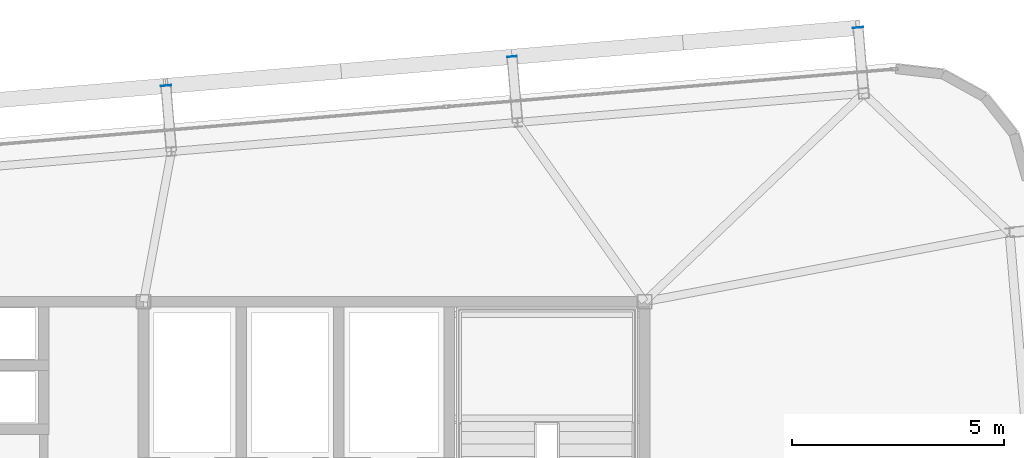
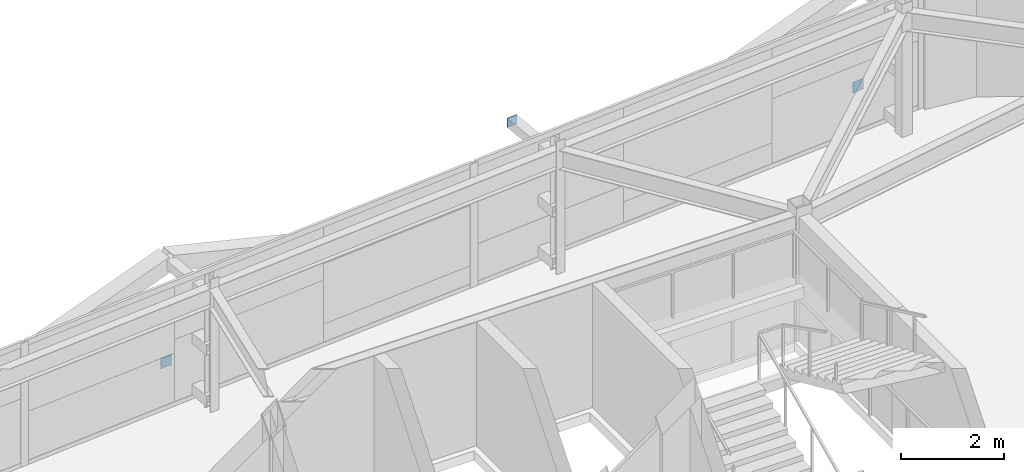
# One storey, part 33 of 39: 3 plates.
"""IFC4 building model written with IfcOpenShell, lengths in metres."""

from ifc_helpers import new_model, si_unit, direction, frame, origin, origin_2d, place, context, subcontext, project, spatial, rectangle, extrude, source, transform, mapped, material, layer, layer_set, type_object, element, save


model = new_model("IFC4")

# Units and contexts
model_context = context("Model", 3, precision=1e-05, world=origin(), true_north=direction((0.0, 1.0)))
body_context = subcontext(model_context, "Body", "Model", "MODEL_VIEW")
ifc_project = project(units=[si_unit("LENGTHUNIT", "METRE"), si_unit("AREAUNIT", "SQUARE_METRE"), si_unit("VOLUMEUNIT", "CUBIC_METRE"), si_unit("PLANEANGLEUNIT", "RADIAN"), si_unit("MASSUNIT", "GRAM", prefix="KILO")], contexts=[model_context])

# Site, building, storey
site_placement = place(None, origin())
site = spatial("IfcSite", under=ifc_project, at=site_placement, CompositionType="ELEMENT")
building_placement = place(site_placement, origin())
building = spatial("IfcBuilding", under=site, at=building_placement, Name="Taldren Reach Tower", CompositionType="ELEMENT")
storey_placement = place(building_placement, frame((0.0, 0.0, 197.75)))
storey = spatial("IfcBuildingStorey", under=building, at=storey_placement, Name="L60", CompositionType="ELEMENT", Elevation=197.75)

# Plates
ifc_material_1 = material(Name="Steel Gr 350 (C350L0)", Category="steel")
ifc_layer_1 = layer(ifc_material_1, 0.011962890625)
ifc_layer_set_1 = layer_set([ifc_layer_1], Name="Steel Gr 350 (C350L0)")
plate_type_1 = type_object("IfcPlateType", Name="PL-CAP-250", PredefinedType="SHEET", material=ifc_layer_set_1)
shared_shape_1 = source(origin(), body_context, "Body", "SweptSolid", [
    extrude(rectangle(XDim=0.25, YDim=0.011962890625, at=origin_2d()), origin(), (0.0, 0.0, 1.0), 0.25),
])
for number, where, z_axis, x_axis, name in (
    (1, (39.7275390625, 37.087646484375, 0.094970703125), (0.0, 0.0, 1.0), (0.99649285925, 0.083677843332, 0.0), "Tie strut end cap plate B4-N4 L60"),
    (2, (56.030029296875, 38.45654296875, 0.094970703125), (0.0, 0.0, 1.0), (0.99649285925, 0.083677843332, 0.0), "Tie strut end cap plate B4-N6 L60"),
):
    element("IfcPlate", number, at=place(storey_placement, frame(where, z_axis=z_axis, x_axis=x_axis)), inside=storey, type_object=plate_type_1, Name=name, PredefinedType="SHEET", context=body_context, shape_type="MappedRepresentation", body=[
        mapped(shared_shape_1, transform((0.0, 0.0, 0.0), scale=1.0)),
    ])
ifc_material_2 = material(Name="Steel Gr 450 (C450L0)", Category="steel")
ifc_layer_2 = layer(ifc_material_2, 0.011962890625)
ifc_layer_set_2 = layer_set([ifc_layer_2], Name="Steel Gr 450 (C450L0)")
plate_type_2 = type_object("IfcPlateType", Name="PL-CAP-220", PredefinedType="SHEET", material=ifc_layer_set_2)
shared_shape_2 = source(origin(), body_context, "Body", "SweptSolid", [
    extrude(rectangle(XDim=0.219970703125, YDim=0.011962890625, at=origin_2d()), origin(), (0.0, 0.0, 1.0), 0.219970703125),
])
plate_placement = place(storey_placement, frame((47.87890625, 37.77197265625, 2.5400390625), z_axis=(0.0, 0.0, 1.0), x_axis=(0.99649285925, 0.083677843332, 0.0)))
element("IfcPlate", 3, at=plate_placement, inside=storey, type_object=plate_type_2, Name="Tie strut end cap plate B4-N5 L60", PredefinedType="SHEET", context=body_context, shape_type="MappedRepresentation", body=[
    mapped(shared_shape_2, transform((0.0, 0.0, 0.0), scale=1.0)),
])

save(model, "model.ifc")
